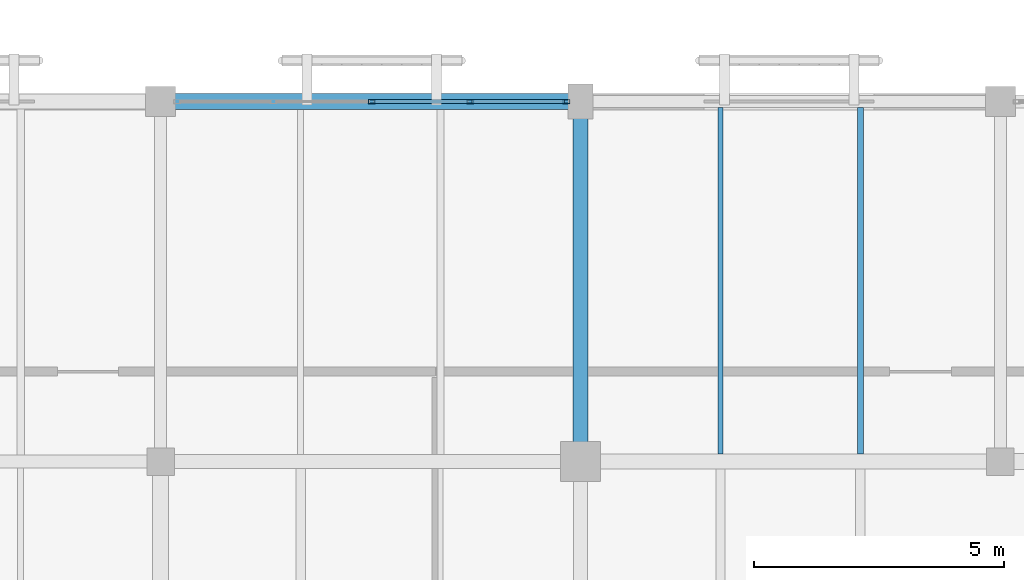
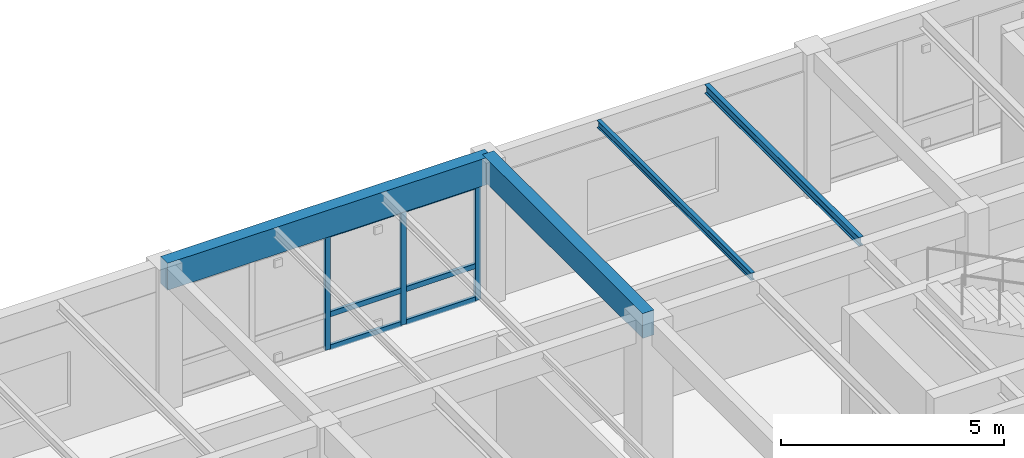
# One storey, part 54 of 170: 9 members, 4 beams, 1 element without a shape of its own.
"""IFC4 building model written with IfcOpenShell, lengths in metres."""

from ifc_helpers import new_model, si_unit, direction, frame, origin, origin_2d, place, context, subcontext, project, spatial, rectangle, hollow_rectangle, i_section, extrude, material, layer, layer_set, material_profile, profile_set, type_object, element, aggregate, save


model = new_model("IFC4")

# Units and contexts
model_context = context("Model", 3, precision=1e-05, world=origin(), true_north=direction((0.0, 1.0)))
body_context = subcontext(model_context, "Body", "Model", "MODEL_VIEW")
ifc_project = project(units=[si_unit("LENGTHUNIT", "METRE"), si_unit("AREAUNIT", "SQUARE_METRE"), si_unit("VOLUMEUNIT", "CUBIC_METRE"), si_unit("PLANEANGLEUNIT", "RADIAN"), si_unit("MASSUNIT", "GRAM", prefix="KILO")], contexts=[model_context])

# Site, building, storey
site_placement = place(None, origin())
site = spatial("IfcSite", under=ifc_project, at=site_placement, CompositionType="ELEMENT")
building_placement = place(site_placement, origin())
building = spatial("IfcBuilding", under=site, at=building_placement, Name="Mazaris Harbour Polytechnic", CompositionType="ELEMENT")
storey_placement = place(building_placement, frame((0.0, 0.0, 5.39990234375)))
storey = spatial("IfcBuildingStorey", under=building, at=storey_placement, Name="L01", CompositionType="ELEMENT", Elevation=5.39990234375)

# Curtain wall, members
ifc_material_1 = material(Name="Anodised Bronze Aluminium and Low-E Glass", Category="aluminium")
ifc_layer = layer(ifc_material_1, 0.159912109375, Name="Anodised Bronze Aluminium and Low-E Glass")
ifc_layer_set = layer_set([ifc_layer], Name="Anodised Bronze Aluminium and Low-E Glass")
curtain_wall_type = type_object("IfcCurtainWallType", Name="Cloister Court Curtain Wall", PredefinedType="NOTDEFINED", material=ifc_layer_set)
curtain_wall_placement = place(storey_placement, origin())
curtain_wall = element("IfcCurtainWall", 1, at=curtain_wall_placement, inside=storey, type_object=curtain_wall_type, Name="V3 L01 Curtain Wall 77", PredefinedType="NOTDEFINED")
ifc_material_2 = material(Name="Anodised Bronze Steel S355", Category="steel")
ifc_material_profile_1 = material_profile(ifc_material_2, hollow_rectangle(XDim=0.080078125, YDim=0.139892578125, WallThickness=0.00634765625, at=origin_2d()), Name="RHS 80x140x6.3")
ifc_profile_set_1 = profile_set([ifc_material_profile_1], Name="Anodised Bronze Steel S355")
member_type_1 = type_object("IfcMemberType", Name="Curtain Mullion RHS80x140", PredefinedType="MULLION", material=ifc_profile_set_1)
member_1_placement = place(storey_placement, frame((91.824951171875, 36.0, 0.0), z_axis=(0.0, 0.0, 1.0), x_axis=(0.0, 1.0, 0.0)))
member_1 = element("IfcMember", 2, at=member_1_placement, type_object=member_type_1, Name="CW-02 mullion 3", PredefinedType="MULLION", context=body_context, shape_type="SweptSolid", body=[
    extrude(hollow_rectangle(XDim=0.080078125, YDim=0.139892578125, WallThickness=0.00634765625, at=origin_2d()), origin(), (0.0, 0.0, 1.0), 3.170166015625),
])
member_2_placement = place(storey_placement, frame((93.79150390625, 36.0, 0.0), z_axis=(0.0, 0.0, 1.0), x_axis=(0.0, 1.0, 0.0)))
member_2 = element("IfcMember", 3, at=member_2_placement, type_object=member_type_1, Name="CW-02 mullion 4", PredefinedType="MULLION", context=body_context, shape_type="SweptSolid", body=[
    extrude(hollow_rectangle(XDim=0.080078125, YDim=0.139892578125, WallThickness=0.00634765625, at=origin_2d()), origin(), (0.0, 0.0, 1.0), 3.170166015625),
])
member_3_placement = place(storey_placement, frame((95.718017578125, 36.0, 0.0), z_axis=(0.0, 0.0, 1.0), x_axis=(0.0, 1.0, 0.0)))
member_3 = element("IfcMember", 4, at=member_3_placement, type_object=member_type_1, Name="CW-02 mullion 5", PredefinedType="MULLION", context=body_context, shape_type="SweptSolid", body=[
    extrude(hollow_rectangle(XDim=0.080078125, YDim=0.139892578125, WallThickness=0.00634765625, at=origin_2d()), origin(), (0.0, 0.0, 1.0), 3.170166015625),
])
ifc_material_3 = material(Name="Anodised Bronze Steel S355", Category="steel")
ifc_material_profile_2 = material_profile(ifc_material_3, hollow_rectangle(XDim=0.080078125, YDim=0.139892578125, WallThickness=0.00634765625, at=origin_2d()), Name="RHS 80x140x6.3")
ifc_profile_set_2 = profile_set([ifc_material_profile_2], Name="Anodised Bronze Steel S355")
member_type_2 = type_object("IfcMemberType", Name="Curtain Transom RHS80x140", PredefinedType="USERDEFINED", material=ifc_profile_set_2)
member_4_placement = place(storey_placement, frame((91.864990234375, 36.0, 0.0400390625), z_axis=(1.0, 0.0, 0.0), x_axis=(0.0, 1.0, 0.0)))
member_4 = element("IfcMember", 5, at=member_4_placement, type_object=member_type_2, Name="CW-02 transom 3.1", ObjectType="TRANSOM", PredefinedType="USERDEFINED", context=body_context, shape_type="SweptSolid", body=[
    extrude(hollow_rectangle(XDim=0.080078125, YDim=0.139892578125, WallThickness=0.00634765625, at=origin_2d()), origin(), (0.0, 0.0, 1.0), 1.886474609375),
])
member_5_placement = place(storey_placement, frame((91.864990234375, 36.0, 0.9501953125), z_axis=(1.0, 0.0, 0.0), x_axis=(0.0, 1.0, 0.0)))
member_5 = element("IfcMember", 6, at=member_5_placement, type_object=member_type_2, Name="CW-02 transom 3.2", ObjectType="TRANSOM", PredefinedType="USERDEFINED", context=body_context, shape_type="SweptSolid", body=[
    extrude(hollow_rectangle(XDim=0.080078125, YDim=0.139892578125, WallThickness=0.00634765625, at=origin_2d()), origin(), (0.0, 0.0, 1.0), 1.886474609375),
])
member_6_placement = place(storey_placement, frame((91.864990234375, 36.0, 3.130126953125), z_axis=(1.0, 0.0, 0.0), x_axis=(0.0, 1.0, 0.0)))
member_6 = element("IfcMember", 7, at=member_6_placement, type_object=member_type_2, Name="CW-02 transom 3.3", ObjectType="TRANSOM", PredefinedType="USERDEFINED", context=body_context, shape_type="SweptSolid", body=[
    extrude(hollow_rectangle(XDim=0.080078125, YDim=0.139892578125, WallThickness=0.00634765625, at=origin_2d()), origin(), (0.0, 0.0, 1.0), 1.886474609375),
])
member_7_placement = place(storey_placement, frame((93.83154296875, 36.0, 0.0400390625), z_axis=(1.0, 0.0, 0.0), x_axis=(0.0, 1.0, 0.0)))
member_7 = element("IfcMember", 8, at=member_7_placement, type_object=member_type_2, Name="CW-02 transom 4.1", ObjectType="TRANSOM", PredefinedType="USERDEFINED", context=body_context, shape_type="SweptSolid", body=[
    extrude(hollow_rectangle(XDim=0.080078125, YDim=0.139892578125, WallThickness=0.00634765625, at=origin_2d()), origin(), (0.0, 0.0, 1.0), 1.846435546875),
])
member_8_placement = place(storey_placement, frame((93.83154296875, 36.0, 0.9501953125), z_axis=(1.0, 0.0, 0.0), x_axis=(0.0, 1.0, 0.0)))
member_8 = element("IfcMember", 9, at=member_8_placement, type_object=member_type_2, Name="CW-02 transom 4.2", ObjectType="TRANSOM", PredefinedType="USERDEFINED", context=body_context, shape_type="SweptSolid", body=[
    extrude(hollow_rectangle(XDim=0.080078125, YDim=0.139892578125, WallThickness=0.00634765625, at=origin_2d()), origin(), (0.0, 0.0, 1.0), 1.846435546875),
])
member_9_placement = place(storey_placement, frame((93.83154296875, 36.0, 3.130126953125), z_axis=(1.0, 0.0, 0.0), x_axis=(0.0, 1.0, 0.0)))
member_9 = element("IfcMember", 10, at=member_9_placement, type_object=member_type_2, Name="CW-02 transom 4.3", ObjectType="TRANSOM", PredefinedType="USERDEFINED", context=body_context, shape_type="SweptSolid", body=[
    extrude(hollow_rectangle(XDim=0.080078125, YDim=0.139892578125, WallThickness=0.00634765625, at=origin_2d()), origin(), (0.0, 0.0, 1.0), 1.846435546875),
])
aggregate(curtain_wall, [member_1, member_2, member_3, member_4, member_5, member_6, member_7, member_8, member_9])

# Beams
ifc_material_4 = material(Name="Glulam GL32h", Category="wood")
ifc_material_profile_3 = material_profile(ifc_material_4, rectangle(XDim=0.300048828125, YDim=0.679931640625, at=origin_2d()), Name="RECT300x680")
ifc_profile_set_3 = profile_set([ifc_material_profile_3], Name="Glulam GL32h")
beam_type_1 = type_object("IfcBeamType", Name="Glulam Girder 300x680", PredefinedType="BEAM", material=ifc_profile_set_3)
beam_1_placement = place(storey_placement, frame((96.0, 28.800048828125, 3.580078125), z_axis=(0.0, 1.0, 0.0), x_axis=(-1.0, 0.0, 0.0)))
element("IfcBeam", 11, at=beam_1_placement, inside=storey, type_object=beam_type_1, Name="V3 L01 Tie Girder 1013", PredefinedType="BEAM", context=body_context, shape_type="SweptSolid", body=[
    extrude(rectangle(XDim=0.300048828125, YDim=0.679931640625, at=origin_2d()), origin(), (0.0, 0.0, 1.0), 7.199951171875),
])
ifc_material_5 = material(Name="Glulam GL32h", Category="wood")
ifc_material_profile_4 = material_profile(ifc_material_5, rectangle(XDim=0.320068359375, YDim=0.739990234375, at=origin_2d()), Name="RECT320x740")
ifc_profile_set_4 = profile_set([ifc_material_profile_4], Name="Glulam GL32h")
beam_type_2 = type_object("IfcBeamType", Name="Glulam Girder 320x740 Exterior", PredefinedType="BEAM", material=ifc_profile_set_4)
beam_2_placement = place(storey_placement, frame((87.60009765625, 36.0, 3.550048828125), z_axis=(1.0, 0.0, 0.0), x_axis=(0.0, 1.0, 0.0)))
element("IfcBeam", 12, at=beam_2_placement, inside=storey, type_object=beam_type_2, Name="V3 L01 Girder 994", PredefinedType="BEAM", context=body_context, shape_type="SweptSolid", body=[
    extrude(rectangle(XDim=0.320068359375, YDim=0.739990234375, at=origin_2d()), origin(), (0.0, 0.0, 1.0), 8.39990234375),
])
ifc_material_6 = material(Name="Steel S355", Category="steel")
ifc_material_profile_5 = material_profile(ifc_material_6, i_section(OverallWidth=0.10009765625, OverallDepth=0.199951171875, WebThickness=0.005615234375, FlangeThickness=0.008544921875, FilletRadius=0.011962890625, at=origin_2d()), Name="IPE 200")
ifc_profile_set_5 = profile_set([ifc_material_profile_5], Name="Steel S355")
beam_type_3 = type_object("IfcBeamType", Name="Steel Joist IPE200", PredefinedType="JOIST", material=ifc_profile_set_5)
beam_3_placement = place(storey_placement, frame((98.800048828125, 28.949951171875, 3.820068359375), z_axis=(0.0, 1.0, 0.0), x_axis=(-1.0, 0.0, 0.0)))
element("IfcBeam", 13, at=beam_3_placement, inside=storey, type_object=beam_type_3, Name="V3 L01 Floor Joist 1050", PredefinedType="JOIST", context=body_context, shape_type="SweptSolid", body=[
    extrude(i_section(OverallWidth=0.10009765625, OverallDepth=0.199951171875, WebThickness=0.005615234375, FlangeThickness=0.008544921875, FilletRadius=0.011962890625, at=origin_2d()), origin(), (0.0, 0.0, 1.0), 6.929931640625),
])
ifc_material_7 = material(Name="Steel S355", Category="steel")
ifc_material_profile_6 = material_profile(ifc_material_7, i_section(OverallWidth=0.1201171875, OverallDepth=0.239990234375, WebThickness=0.006103515625, FlangeThickness=0.009765625, FilletRadius=0.014892578125, at=origin_2d()), Name="IPE 240")
ifc_profile_set_6 = profile_set([ifc_material_profile_6], Name="Steel S355")
beam_type_4 = type_object("IfcBeamType", Name="Steel Joist IPE240", PredefinedType="JOIST", material=ifc_profile_set_6)
beam_4_placement = place(storey_placement, frame((101.60009765625, 28.949951171875, 3.800048828125), z_axis=(0.0, 1.0, 0.0), x_axis=(-1.0, 0.0, 0.0)))
element("IfcBeam", 14, at=beam_4_placement, inside=storey, type_object=beam_type_4, Name="V3 L01 Floor Joist 1051", PredefinedType="JOIST", context=body_context, shape_type="SweptSolid", body=[
    extrude(i_section(OverallWidth=0.1201171875, OverallDepth=0.239990234375, WebThickness=0.006103515625, FlangeThickness=0.009765625, FilletRadius=0.014892578125, at=origin_2d()), origin(), (0.0, 0.0, 1.0), 6.929931640625),
])

save(model, "model.ifc")
